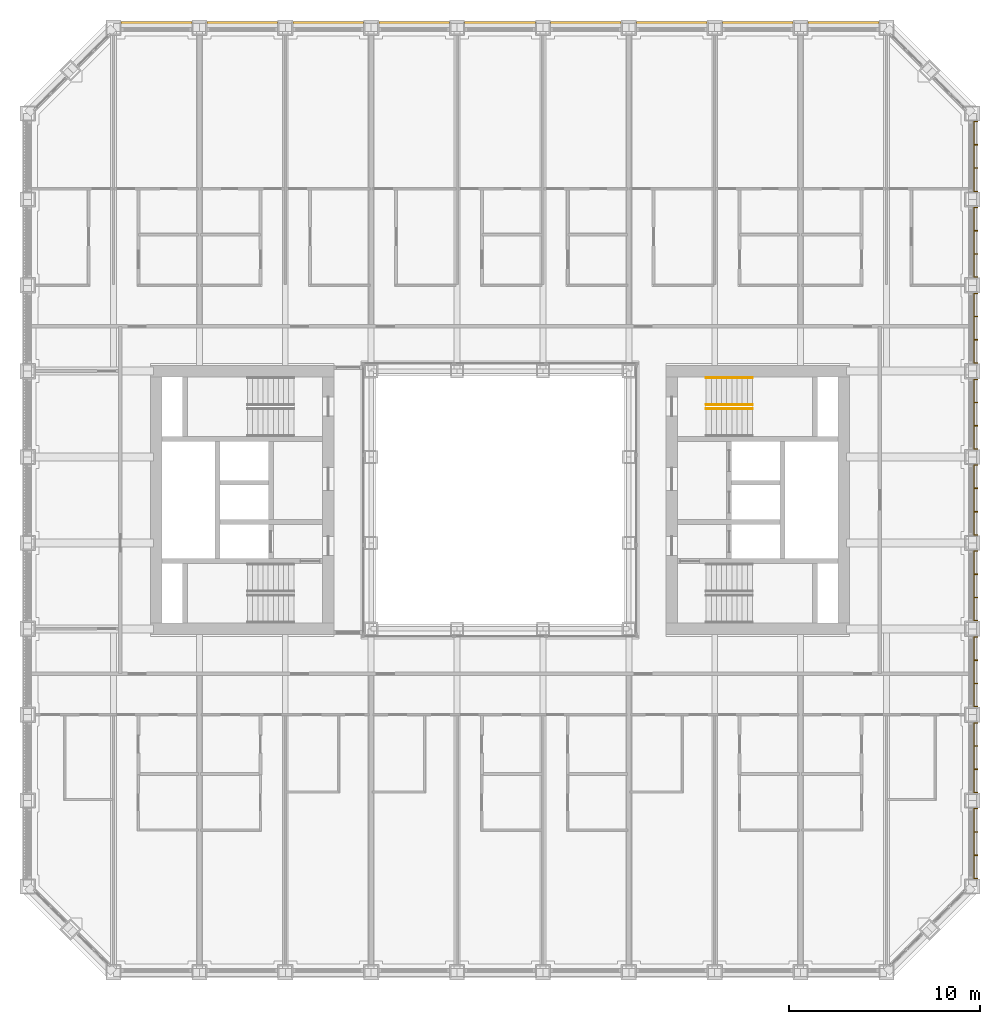
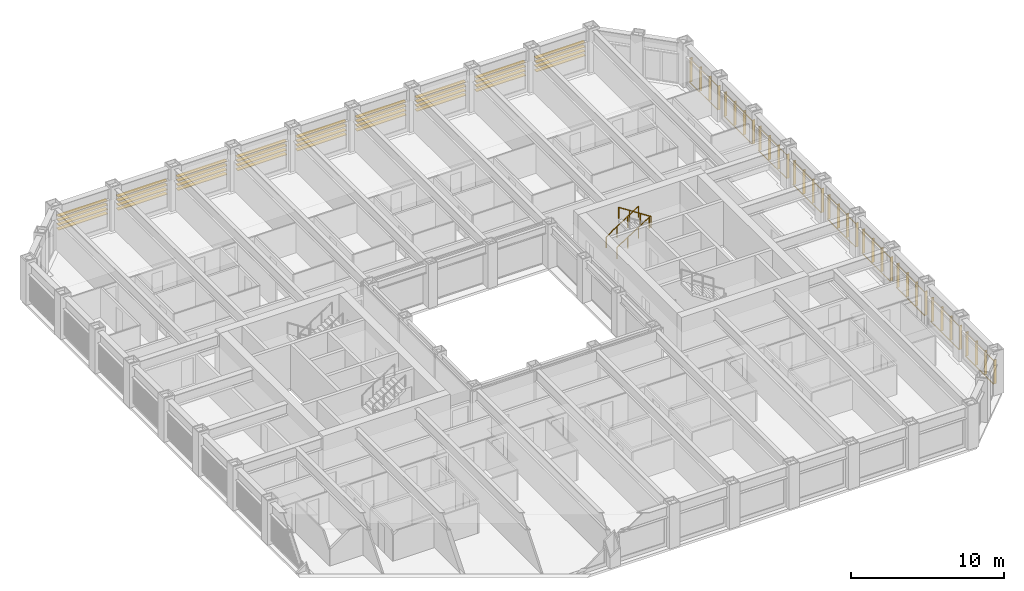
# One storey, part 21 of 21: 3 railings, 2 shading devices.
"""IFC4 building model written with IfcOpenShell, lengths in metres."""

from ifc_helpers import new_model, si_unit, direction, frame, origin, origin_2d, place, context, subcontext, project, spatial, rectangle, circle, extrude, material, type_object, element, save


model = new_model("IFC4")

# Units and contexts
model_context = context("Model", 3, precision=1e-05, world=origin(), true_north=direction((0.0, 1.0)))
body_context = subcontext(model_context, "Body", "Model", "MODEL_VIEW")
ifc_project = project(units=[si_unit("LENGTHUNIT", "METRE"), si_unit("AREAUNIT", "SQUARE_METRE"), si_unit("VOLUMEUNIT", "CUBIC_METRE"), si_unit("PLANEANGLEUNIT", "RADIAN"), si_unit("MASSUNIT", "GRAM", prefix="KILO")], contexts=[model_context])

# Site, building, storey
site_placement = place(None, origin())
site = spatial("IfcSite", under=ifc_project, at=site_placement, CompositionType="ELEMENT")
building_placement = place(site_placement, origin())
building = spatial("IfcBuilding", under=site, at=building_placement, Name="Msasa Ring Tower", CompositionType="ELEMENT")
storey_placement = place(building_placement, frame((0.0, 0.0, 54.5)))
storey = spatial("IfcBuildingStorey", under=building, at=storey_placement, Name="L13", CompositionType="ELEMENT", Elevation=54.5)

# Shading device
ifc_material_1 = material(Name="Extruded terracotta on aluminium carriers", Category="masonry")
shading_device_type_1 = type_object("IfcShadingDeviceType", Name="BS2 TERRACOTTA FIN SCREEN 40x200 AT 1350", PredefinedType="USERDEFINED", material=ifc_material_1)
shading_device_1_placement = place(storey_placement, origin())
element("IfcShadingDevice", 1, at=shading_device_1_placement, inside=storey, type_object=shading_device_type_1, Name="Terracotta fin screen E L13", ObjectType="BAGUETTE", PredefinedType="USERDEFINED", context=body_context, shape_type="SweptSolid", body=[
    extrude(rectangle(XDim=0.06005859375, YDim=0.0400390625, at=origin_2d()), frame((24.830078125, -19.85009765625, 0.330078125), z_axis=(0.0, 1.0, 0.0), x_axis=(0.0, 0.0, 1.0)), (0.0, 0.0, 1.0), 3.699951171875),
    extrude(rectangle(XDim=0.06005859375, YDim=0.0400390625, at=origin_2d()), frame((24.830078125, -19.85009765625, 2.198974609375), z_axis=(0.0, 1.0, 0.0), x_axis=(0.0, 0.0, 1.0)), (0.0, 0.0, 1.0), 3.699951171875),
    extrude(rectangle(XDim=0.0400390625, YDim=0.199951171875, at=origin_2d()), frame((24.945068359375, -19.830078125, 0.300048828125), z_axis=(0.0, 0.0, 1.0), x_axis=(0.0, 1.0, 0.0)), (0.0, 0.0, 1.0), 1.928955078125),
    extrude(rectangle(XDim=0.0400390625, YDim=0.199951171875, at=origin_2d()), frame((24.945068359375, -18.610107421875, 0.300048828125), z_axis=(0.0, 0.0, 1.0), x_axis=(0.0, 1.0, 0.0)), (0.0, 0.0, 1.0), 1.928955078125),
    extrude(rectangle(XDim=0.0400390625, YDim=0.199951171875, at=origin_2d()), frame((24.945068359375, -17.389892578125, 0.300048828125), z_axis=(0.0, 0.0, 1.0), x_axis=(0.0, 1.0, 0.0)), (0.0, 0.0, 1.0), 1.928955078125),
    extrude(rectangle(XDim=0.0400390625, YDim=0.199951171875, at=origin_2d()), frame((24.945068359375, -16.169921875, 0.300048828125), z_axis=(0.0, 0.0, 1.0), x_axis=(0.0, 1.0, 0.0)), (0.0, 0.0, 1.0), 1.928955078125),
    extrude(rectangle(XDim=0.06005859375, YDim=0.0400390625, at=origin_2d()), frame((24.830078125, -15.35009765625, 0.330078125), z_axis=(0.0, 1.0, 0.0), x_axis=(0.0, 0.0, 1.0)), (0.0, 0.0, 1.0), 3.699951171875),
    extrude(rectangle(XDim=0.06005859375, YDim=0.0400390625, at=origin_2d()), frame((24.830078125, -15.35009765625, 2.198974609375), z_axis=(0.0, 1.0, 0.0), x_axis=(0.0, 0.0, 1.0)), (0.0, 0.0, 1.0), 3.699951171875),
    extrude(rectangle(XDim=0.0400390625, YDim=0.199951171875, at=origin_2d()), frame((24.945068359375, -15.330078125, 0.300048828125), z_axis=(0.0, 0.0, 1.0), x_axis=(0.0, 1.0, 0.0)), (0.0, 0.0, 1.0), 1.928955078125),
    extrude(rectangle(XDim=0.0400390625, YDim=0.199951171875, at=origin_2d()), frame((24.945068359375, -14.110107421875, 0.300048828125), z_axis=(0.0, 0.0, 1.0), x_axis=(0.0, 1.0, 0.0)), (0.0, 0.0, 1.0), 1.928955078125),
    extrude(rectangle(XDim=0.0400390625, YDim=0.199951171875, at=origin_2d()), frame((24.945068359375, -12.889892578125, 0.300048828125), z_axis=(0.0, 0.0, 1.0), x_axis=(0.0, 1.0, 0.0)), (0.0, 0.0, 1.0), 1.928955078125),
    extrude(rectangle(XDim=0.0400390625, YDim=0.199951171875, at=origin_2d()), frame((24.945068359375, -11.669921875, 0.300048828125), z_axis=(0.0, 0.0, 1.0), x_axis=(0.0, 1.0, 0.0)), (0.0, 0.0, 1.0), 1.928955078125),
    extrude(rectangle(XDim=0.06005859375, YDim=0.0400390625, at=origin_2d()), frame((24.830078125, -10.85009765625, 0.330078125), z_axis=(0.0, 1.0, 0.0), x_axis=(0.0, 0.0, 1.0)), (0.0, 0.0, 1.0), 3.699951171875),
    extrude(rectangle(XDim=0.06005859375, YDim=0.0400390625, at=origin_2d()), frame((24.830078125, -10.85009765625, 2.198974609375), z_axis=(0.0, 1.0, 0.0), x_axis=(0.0, 0.0, 1.0)), (0.0, 0.0, 1.0), 3.699951171875),
    extrude(rectangle(XDim=0.0400390625, YDim=0.199951171875, at=origin_2d()), frame((24.945068359375, -10.830078125, 0.300048828125), z_axis=(0.0, 0.0, 1.0), x_axis=(0.0, 1.0, 0.0)), (0.0, 0.0, 1.0), 1.928955078125),
    extrude(rectangle(XDim=0.0400390625, YDim=0.199951171875, at=origin_2d()), frame((24.945068359375, -9.610107421875, 0.300048828125), z_axis=(0.0, 0.0, 1.0), x_axis=(0.0, 1.0, 0.0)), (0.0, 0.0, 1.0), 1.928955078125),
    extrude(rectangle(XDim=0.0400390625, YDim=0.199951171875, at=origin_2d()), frame((24.945068359375, -8.389892578125, 0.300048828125), z_axis=(0.0, 0.0, 1.0), x_axis=(0.0, 1.0, 0.0)), (0.0, 0.0, 1.0), 1.928955078125),
    extrude(rectangle(XDim=0.0400390625, YDim=0.199951171875, at=origin_2d()), frame((24.945068359375, -7.169921875, 0.300048828125), z_axis=(0.0, 0.0, 1.0), x_axis=(0.0, 1.0, 0.0)), (0.0, 0.0, 1.0), 1.928955078125),
    extrude(rectangle(XDim=0.06005859375, YDim=0.0400390625, at=origin_2d()), frame((24.830078125, -6.35009765625, 0.330078125), z_axis=(0.0, 1.0, 0.0), x_axis=(0.0, 0.0, 1.0)), (0.0, 0.0, 1.0), 3.699951171875),
    extrude(rectangle(XDim=0.06005859375, YDim=0.0400390625, at=origin_2d()), frame((24.830078125, -6.35009765625, 2.198974609375), z_axis=(0.0, 1.0, 0.0), x_axis=(0.0, 0.0, 1.0)), (0.0, 0.0, 1.0), 3.699951171875),
    extrude(rectangle(XDim=0.0400390625, YDim=0.199951171875, at=origin_2d()), frame((24.945068359375, -6.330078125, 0.300048828125), z_axis=(0.0, 0.0, 1.0), x_axis=(0.0, 1.0, 0.0)), (0.0, 0.0, 1.0), 1.928955078125),
    extrude(rectangle(XDim=0.0400390625, YDim=0.199951171875, at=origin_2d()), frame((24.945068359375, -5.110107421875, 0.300048828125), z_axis=(0.0, 0.0, 1.0), x_axis=(0.0, 1.0, 0.0)), (0.0, 0.0, 1.0), 1.928955078125),
    extrude(rectangle(XDim=0.0400390625, YDim=0.199951171875, at=origin_2d()), frame((24.945068359375, -3.889892578125, 0.300048828125), z_axis=(0.0, 0.0, 1.0), x_axis=(0.0, 1.0, 0.0)), (0.0, 0.0, 1.0), 1.928955078125),
    extrude(rectangle(XDim=0.0400390625, YDim=0.199951171875, at=origin_2d()), frame((24.945068359375, -2.669921875, 0.300048828125), z_axis=(0.0, 0.0, 1.0), x_axis=(0.0, 1.0, 0.0)), (0.0, 0.0, 1.0), 1.928955078125),
    extrude(rectangle(XDim=0.06005859375, YDim=0.0400390625, at=origin_2d()), frame((24.830078125, -1.85009765625, 0.330078125), z_axis=(0.0, 1.0, 0.0), x_axis=(0.0, 0.0, 1.0)), (0.0, 0.0, 1.0), 3.699951171875),
    extrude(rectangle(XDim=0.06005859375, YDim=0.0400390625, at=origin_2d()), frame((24.830078125, -1.85009765625, 2.198974609375), z_axis=(0.0, 1.0, 0.0), x_axis=(0.0, 0.0, 1.0)), (0.0, 0.0, 1.0), 3.699951171875),
    extrude(rectangle(XDim=0.0400390625, YDim=0.199951171875, at=origin_2d()), frame((24.945068359375, -1.830078125, 0.300048828125), z_axis=(0.0, 0.0, 1.0), x_axis=(0.0, 1.0, 0.0)), (0.0, 0.0, 1.0), 1.928955078125),
    extrude(rectangle(XDim=0.0400390625, YDim=0.199951171875, at=origin_2d()), frame((24.945068359375, -0.610107421875, 0.300048828125), z_axis=(0.0, 0.0, 1.0), x_axis=(0.0, 1.0, 0.0)), (0.0, 0.0, 1.0), 1.928955078125),
    extrude(rectangle(XDim=0.0400390625, YDim=0.199951171875, at=origin_2d()), frame((24.945068359375, 0.610107421875, 0.300048828125), z_axis=(0.0, 0.0, 1.0), x_axis=(0.0, 1.0, 0.0)), (0.0, 0.0, 1.0), 1.928955078125),
    extrude(rectangle(XDim=0.0400390625, YDim=0.199951171875, at=origin_2d()), frame((24.945068359375, 1.830078125, 0.300048828125), z_axis=(0.0, 0.0, 1.0), x_axis=(0.0, 1.0, 0.0)), (0.0, 0.0, 1.0), 1.928955078125),
    extrude(rectangle(XDim=0.06005859375, YDim=0.0400390625, at=origin_2d()), frame((24.830078125, 2.64990234375, 0.330078125), z_axis=(0.0, 1.0, 0.0), x_axis=(0.0, 0.0, 1.0)), (0.0, 0.0, 1.0), 3.699951171875),
    extrude(rectangle(XDim=0.06005859375, YDim=0.0400390625, at=origin_2d()), frame((24.830078125, 2.64990234375, 2.198974609375), z_axis=(0.0, 1.0, 0.0), x_axis=(0.0, 0.0, 1.0)), (0.0, 0.0, 1.0), 3.699951171875),
    extrude(rectangle(XDim=0.0400390625, YDim=0.199951171875, at=origin_2d()), frame((24.945068359375, 2.669921875, 0.300048828125), z_axis=(0.0, 0.0, 1.0), x_axis=(0.0, 1.0, 0.0)), (0.0, 0.0, 1.0), 1.928955078125),
    extrude(rectangle(XDim=0.0400390625, YDim=0.199951171875, at=origin_2d()), frame((24.945068359375, 3.889892578125, 0.300048828125), z_axis=(0.0, 0.0, 1.0), x_axis=(0.0, 1.0, 0.0)), (0.0, 0.0, 1.0), 1.928955078125),
    extrude(rectangle(XDim=0.0400390625, YDim=0.199951171875, at=origin_2d()), frame((24.945068359375, 5.110107421875, 0.300048828125), z_axis=(0.0, 0.0, 1.0), x_axis=(0.0, 1.0, 0.0)), (0.0, 0.0, 1.0), 1.928955078125),
    extrude(rectangle(XDim=0.0400390625, YDim=0.199951171875, at=origin_2d()), frame((24.945068359375, 6.330078125, 0.300048828125), z_axis=(0.0, 0.0, 1.0), x_axis=(0.0, 1.0, 0.0)), (0.0, 0.0, 1.0), 1.928955078125),
    extrude(rectangle(XDim=0.06005859375, YDim=0.0400390625, at=origin_2d()), frame((24.830078125, 7.14990234375, 0.330078125), z_axis=(0.0, 1.0, 0.0), x_axis=(0.0, 0.0, 1.0)), (0.0, 0.0, 1.0), 3.699951171875),
    extrude(rectangle(XDim=0.06005859375, YDim=0.0400390625, at=origin_2d()), frame((24.830078125, 7.14990234375, 2.198974609375), z_axis=(0.0, 1.0, 0.0), x_axis=(0.0, 0.0, 1.0)), (0.0, 0.0, 1.0), 3.699951171875),
    extrude(rectangle(XDim=0.0400390625, YDim=0.199951171875, at=origin_2d()), frame((24.945068359375, 7.169921875, 0.300048828125), z_axis=(0.0, 0.0, 1.0), x_axis=(0.0, 1.0, 0.0)), (0.0, 0.0, 1.0), 1.928955078125),
    extrude(rectangle(XDim=0.0400390625, YDim=0.199951171875, at=origin_2d()), frame((24.945068359375, 8.389892578125, 0.300048828125), z_axis=(0.0, 0.0, 1.0), x_axis=(0.0, 1.0, 0.0)), (0.0, 0.0, 1.0), 1.928955078125),
    extrude(rectangle(XDim=0.0400390625, YDim=0.199951171875, at=origin_2d()), frame((24.945068359375, 9.610107421875, 0.300048828125), z_axis=(0.0, 0.0, 1.0), x_axis=(0.0, 1.0, 0.0)), (0.0, 0.0, 1.0), 1.928955078125),
    extrude(rectangle(XDim=0.0400390625, YDim=0.199951171875, at=origin_2d()), frame((24.945068359375, 10.830078125, 0.300048828125), z_axis=(0.0, 0.0, 1.0), x_axis=(0.0, 1.0, 0.0)), (0.0, 0.0, 1.0), 1.928955078125),
    extrude(rectangle(XDim=0.06005859375, YDim=0.0400390625, at=origin_2d()), frame((24.830078125, 11.64990234375, 0.330078125), z_axis=(0.0, 1.0, 0.0), x_axis=(0.0, 0.0, 1.0)), (0.0, 0.0, 1.0), 3.699951171875),
    extrude(rectangle(XDim=0.06005859375, YDim=0.0400390625, at=origin_2d()), frame((24.830078125, 11.64990234375, 2.198974609375), z_axis=(0.0, 1.0, 0.0), x_axis=(0.0, 0.0, 1.0)), (0.0, 0.0, 1.0), 3.699951171875),
    extrude(rectangle(XDim=0.0400390625, YDim=0.199951171875, at=origin_2d()), frame((24.945068359375, 11.669921875, 0.300048828125), z_axis=(0.0, 0.0, 1.0), x_axis=(0.0, 1.0, 0.0)), (0.0, 0.0, 1.0), 1.928955078125),
    extrude(rectangle(XDim=0.0400390625, YDim=0.199951171875, at=origin_2d()), frame((24.945068359375, 12.889892578125, 0.300048828125), z_axis=(0.0, 0.0, 1.0), x_axis=(0.0, 1.0, 0.0)), (0.0, 0.0, 1.0), 1.928955078125),
    extrude(rectangle(XDim=0.0400390625, YDim=0.199951171875, at=origin_2d()), frame((24.945068359375, 14.110107421875, 0.300048828125), z_axis=(0.0, 0.0, 1.0), x_axis=(0.0, 1.0, 0.0)), (0.0, 0.0, 1.0), 1.928955078125),
    extrude(rectangle(XDim=0.0400390625, YDim=0.199951171875, at=origin_2d()), frame((24.945068359375, 15.330078125, 0.300048828125), z_axis=(0.0, 0.0, 1.0), x_axis=(0.0, 1.0, 0.0)), (0.0, 0.0, 1.0), 1.928955078125),
    extrude(rectangle(XDim=0.06005859375, YDim=0.0400390625, at=origin_2d()), frame((24.830078125, 16.14990234375, 0.330078125), z_axis=(0.0, 1.0, 0.0), x_axis=(0.0, 0.0, 1.0)), (0.0, 0.0, 1.0), 3.699951171875),
    extrude(rectangle(XDim=0.06005859375, YDim=0.0400390625, at=origin_2d()), frame((24.830078125, 16.14990234375, 2.198974609375), z_axis=(0.0, 1.0, 0.0), x_axis=(0.0, 0.0, 1.0)), (0.0, 0.0, 1.0), 3.699951171875),
    extrude(rectangle(XDim=0.0400390625, YDim=0.199951171875, at=origin_2d()), frame((24.945068359375, 16.169921875, 0.300048828125), z_axis=(0.0, 0.0, 1.0), x_axis=(0.0, 1.0, 0.0)), (0.0, 0.0, 1.0), 1.928955078125),
    extrude(rectangle(XDim=0.0400390625, YDim=0.199951171875, at=origin_2d()), frame((24.945068359375, 17.389892578125, 0.300048828125), z_axis=(0.0, 0.0, 1.0), x_axis=(0.0, 1.0, 0.0)), (0.0, 0.0, 1.0), 1.928955078125),
    extrude(rectangle(XDim=0.0400390625, YDim=0.199951171875, at=origin_2d()), frame((24.945068359375, 18.610107421875, 0.300048828125), z_axis=(0.0, 0.0, 1.0), x_axis=(0.0, 1.0, 0.0)), (0.0, 0.0, 1.0), 1.928955078125),
    extrude(rectangle(XDim=0.0400390625, YDim=0.199951171875, at=origin_2d()), frame((24.945068359375, 19.830078125, 0.300048828125), z_axis=(0.0, 0.0, 1.0), x_axis=(0.0, 1.0, 0.0)), (0.0, 0.0, 1.0), 1.928955078125),
])

# Railings
ifc_material_2 = material(Name="Stainless steel", Category="steel")
railing_type = type_object("IfcRailingType", Name="HR1 HANDRAIL 900", PredefinedType="HANDRAIL", material=ifc_material_2)
for number, where, name in (
    (2, (10.800048828125, 5.0, 0.175048828125), "Handrail stair SEB L13 1"),
    (3, (10.800048828125, 6.39990234375, 0.175048828125), "Handrail stair SEB L13 2"),
):
    element("IfcRailing", number, at=place(storey_placement, frame(where)), inside=storey, type_object=railing_type, Name=name, PredefinedType="HANDRAIL", context=body_context, shape_type="SweptSolid", body=[
        extrude(circle(Radius=0.02392578125, at=origin_2d()), frame((0.0, 0.0, 0.8759765625), z_axis=(0.839153699163, 0.0, 0.543894354798), x_axis=(0.0, 1.0, 0.0)), (0.0, 0.0, 1.0), 2.895751953125),
        extrude(circle(Radius=0.02099609375, at=origin_2d()), origin(), (0.0, 0.0, 1.0), 0.851806640625),
        extrude(circle(Radius=0.02099609375, at=origin_2d()), frame((0.81005859375, 0.0, 0.52490234375)), (0.0, 0.0, 1.0), 0.851806640625),
        extrude(circle(Radius=0.02099609375, at=origin_2d()), frame((1.619873046875, 0.0, 1.050048828125)), (0.0, 0.0, 1.0), 0.851806640625),
        extrude(circle(Radius=0.02099609375, at=origin_2d()), frame((2.429931640625, 0.0, 1.574951171875)), (0.0, 0.0, 1.0), 0.851806640625),
    ])
railing_placement = place(storey_placement, frame((13.22998046875, 4.77490234375, 1.925048828125)))
element("IfcRailing", 4, at=railing_placement, inside=storey, type_object=railing_type, Name="Handrail stair SEB L13 4", PredefinedType="HANDRAIL", context=body_context, shape_type="SweptSolid", body=[
    extrude(circle(Radius=0.02392578125, at=origin_2d()), frame((0.0, 0.0, 0.8759765625), z_axis=(-0.839153699163, 0.0, 0.543894354798), x_axis=(0.0, -1.0, 0.0)), (0.0, 0.0, 1.0), 2.895751953125),
    extrude(circle(Radius=0.02099609375, at=origin_2d()), origin(), (0.0, 0.0, 1.0), 0.851806640625),
    extrude(circle(Radius=0.02099609375, at=origin_2d()), frame((-0.81005859375, 0.0, 0.52490234375)), (0.0, 0.0, 1.0), 0.851806640625),
    extrude(circle(Radius=0.02099609375, at=origin_2d()), frame((-1.619873046875, 0.0, 1.050048828125)), (0.0, 0.0, 1.0), 0.851806640625),
    extrude(circle(Radius=0.02099609375, at=origin_2d()), frame((-2.429931640625, 0.0, 1.574951171875)), (0.0, 0.0, 1.0), 0.851806640625),
])

# Shading device
ifc_material_3 = material(Name="Extruded terracotta blades", Category="masonry")
shading_device_type_2 = type_object("IfcShadingDeviceType", Name="SS1 TERRACOTTA SUNSHADE 4 BLADES 300x40 AT 350", PredefinedType="USERDEFINED", material=ifc_material_3)
shading_device_2_placement = place(storey_placement, origin())
element("IfcShadingDevice", 5, at=shading_device_2_placement, inside=storey, type_object=shading_device_type_2, Name="Terracotta sunshade N L13", ObjectType="SUNSHADE", PredefinedType="USERDEFINED", context=body_context, shape_type="SweptSolid", body=[
    extrude(rectangle(XDim=0.0400390625, YDim=0.300048828125, at=origin_2d()), frame((-19.85009765625, 24.929931640625, 2.208984375), z_axis=(1.0, 0.0, 0.0), x_axis=(0.0, 0.0, 1.0)), (0.0, 0.0, 1.0), 3.699951171875),
    extrude(rectangle(XDim=0.0400390625, YDim=0.300048828125, at=origin_2d()), frame((-19.85009765625, 24.929931640625, 1.85888671875), z_axis=(1.0, 0.0, 0.0), x_axis=(0.0, 0.0, 1.0)), (0.0, 0.0, 1.0), 3.699951171875),
    extrude(rectangle(XDim=0.0400390625, YDim=0.300048828125, at=origin_2d()), frame((-19.85009765625, 24.929931640625, 1.509033203125), z_axis=(1.0, 0.0, 0.0), x_axis=(0.0, 0.0, 1.0)), (0.0, 0.0, 1.0), 3.699951171875),
    extrude(rectangle(XDim=0.0400390625, YDim=0.300048828125, at=origin_2d()), frame((-19.85009765625, 24.929931640625, 1.158935546875), z_axis=(1.0, 0.0, 0.0), x_axis=(0.0, 0.0, 1.0)), (0.0, 0.0, 1.0), 3.699951171875),
    extrude(rectangle(XDim=0.0400390625, YDim=0.300048828125, at=origin_2d()), frame((-15.35009765625, 24.929931640625, 2.208984375), z_axis=(1.0, 0.0, 0.0), x_axis=(0.0, 0.0, 1.0)), (0.0, 0.0, 1.0), 3.699951171875),
    extrude(rectangle(XDim=0.0400390625, YDim=0.300048828125, at=origin_2d()), frame((-15.35009765625, 24.929931640625, 1.85888671875), z_axis=(1.0, 0.0, 0.0), x_axis=(0.0, 0.0, 1.0)), (0.0, 0.0, 1.0), 3.699951171875),
    extrude(rectangle(XDim=0.0400390625, YDim=0.300048828125, at=origin_2d()), frame((-15.35009765625, 24.929931640625, 1.509033203125), z_axis=(1.0, 0.0, 0.0), x_axis=(0.0, 0.0, 1.0)), (0.0, 0.0, 1.0), 3.699951171875),
    extrude(rectangle(XDim=0.0400390625, YDim=0.300048828125, at=origin_2d()), frame((-15.35009765625, 24.929931640625, 1.158935546875), z_axis=(1.0, 0.0, 0.0), x_axis=(0.0, 0.0, 1.0)), (0.0, 0.0, 1.0), 3.699951171875),
    extrude(rectangle(XDim=0.0400390625, YDim=0.300048828125, at=origin_2d()), frame((-10.85009765625, 24.929931640625, 2.208984375), z_axis=(1.0, 0.0, 0.0), x_axis=(0.0, 0.0, 1.0)), (0.0, 0.0, 1.0), 3.699951171875),
    extrude(rectangle(XDim=0.0400390625, YDim=0.300048828125, at=origin_2d()), frame((-10.85009765625, 24.929931640625, 1.85888671875), z_axis=(1.0, 0.0, 0.0), x_axis=(0.0, 0.0, 1.0)), (0.0, 0.0, 1.0), 3.699951171875),
    extrude(rectangle(XDim=0.0400390625, YDim=0.300048828125, at=origin_2d()), frame((-10.85009765625, 24.929931640625, 1.509033203125), z_axis=(1.0, 0.0, 0.0), x_axis=(0.0, 0.0, 1.0)), (0.0, 0.0, 1.0), 3.699951171875),
    extrude(rectangle(XDim=0.0400390625, YDim=0.300048828125, at=origin_2d()), frame((-10.85009765625, 24.929931640625, 1.158935546875), z_axis=(1.0, 0.0, 0.0), x_axis=(0.0, 0.0, 1.0)), (0.0, 0.0, 1.0), 3.699951171875),
    extrude(rectangle(XDim=0.0400390625, YDim=0.300048828125, at=origin_2d()), frame((-6.35009765625, 24.929931640625, 2.208984375), z_axis=(1.0, 0.0, 0.0), x_axis=(0.0, 0.0, 1.0)), (0.0, 0.0, 1.0), 3.699951171875),
    extrude(rectangle(XDim=0.0400390625, YDim=0.300048828125, at=origin_2d()), frame((-6.35009765625, 24.929931640625, 1.85888671875), z_axis=(1.0, 0.0, 0.0), x_axis=(0.0, 0.0, 1.0)), (0.0, 0.0, 1.0), 3.699951171875),
    extrude(rectangle(XDim=0.0400390625, YDim=0.300048828125, at=origin_2d()), frame((-6.35009765625, 24.929931640625, 1.509033203125), z_axis=(1.0, 0.0, 0.0), x_axis=(0.0, 0.0, 1.0)), (0.0, 0.0, 1.0), 3.699951171875),
    extrude(rectangle(XDim=0.0400390625, YDim=0.300048828125, at=origin_2d()), frame((-6.35009765625, 24.929931640625, 1.158935546875), z_axis=(1.0, 0.0, 0.0), x_axis=(0.0, 0.0, 1.0)), (0.0, 0.0, 1.0), 3.699951171875),
    extrude(rectangle(XDim=0.0400390625, YDim=0.300048828125, at=origin_2d()), frame((-1.85009765625, 24.929931640625, 2.208984375), z_axis=(1.0, 0.0, 0.0), x_axis=(0.0, 0.0, 1.0)), (0.0, 0.0, 1.0), 3.699951171875),
    extrude(rectangle(XDim=0.0400390625, YDim=0.300048828125, at=origin_2d()), frame((-1.85009765625, 24.929931640625, 1.85888671875), z_axis=(1.0, 0.0, 0.0), x_axis=(0.0, 0.0, 1.0)), (0.0, 0.0, 1.0), 3.699951171875),
    extrude(rectangle(XDim=0.0400390625, YDim=0.300048828125, at=origin_2d()), frame((-1.85009765625, 24.929931640625, 1.509033203125), z_axis=(1.0, 0.0, 0.0), x_axis=(0.0, 0.0, 1.0)), (0.0, 0.0, 1.0), 3.699951171875),
    extrude(rectangle(XDim=0.0400390625, YDim=0.300048828125, at=origin_2d()), frame((-1.85009765625, 24.929931640625, 1.158935546875), z_axis=(1.0, 0.0, 0.0), x_axis=(0.0, 0.0, 1.0)), (0.0, 0.0, 1.0), 3.699951171875),
    extrude(rectangle(XDim=0.0400390625, YDim=0.300048828125, at=origin_2d()), frame((2.64990234375, 24.929931640625, 2.208984375), z_axis=(1.0, 0.0, 0.0), x_axis=(0.0, 0.0, 1.0)), (0.0, 0.0, 1.0), 3.699951171875),
    extrude(rectangle(XDim=0.0400390625, YDim=0.300048828125, at=origin_2d()), frame((2.64990234375, 24.929931640625, 1.85888671875), z_axis=(1.0, 0.0, 0.0), x_axis=(0.0, 0.0, 1.0)), (0.0, 0.0, 1.0), 3.699951171875),
    extrude(rectangle(XDim=0.0400390625, YDim=0.300048828125, at=origin_2d()), frame((2.64990234375, 24.929931640625, 1.509033203125), z_axis=(1.0, 0.0, 0.0), x_axis=(0.0, 0.0, 1.0)), (0.0, 0.0, 1.0), 3.699951171875),
    extrude(rectangle(XDim=0.0400390625, YDim=0.300048828125, at=origin_2d()), frame((2.64990234375, 24.929931640625, 1.158935546875), z_axis=(1.0, 0.0, 0.0), x_axis=(0.0, 0.0, 1.0)), (0.0, 0.0, 1.0), 3.699951171875),
    extrude(rectangle(XDim=0.0400390625, YDim=0.300048828125, at=origin_2d()), frame((7.14990234375, 24.929931640625, 2.208984375), z_axis=(1.0, 0.0, 0.0), x_axis=(0.0, 0.0, 1.0)), (0.0, 0.0, 1.0), 3.699951171875),
    extrude(rectangle(XDim=0.0400390625, YDim=0.300048828125, at=origin_2d()), frame((7.14990234375, 24.929931640625, 1.85888671875), z_axis=(1.0, 0.0, 0.0), x_axis=(0.0, 0.0, 1.0)), (0.0, 0.0, 1.0), 3.699951171875),
    extrude(rectangle(XDim=0.0400390625, YDim=0.300048828125, at=origin_2d()), frame((7.14990234375, 24.929931640625, 1.509033203125), z_axis=(1.0, 0.0, 0.0), x_axis=(0.0, 0.0, 1.0)), (0.0, 0.0, 1.0), 3.699951171875),
    extrude(rectangle(XDim=0.0400390625, YDim=0.300048828125, at=origin_2d()), frame((7.14990234375, 24.929931640625, 1.158935546875), z_axis=(1.0, 0.0, 0.0), x_axis=(0.0, 0.0, 1.0)), (0.0, 0.0, 1.0), 3.699951171875),
    extrude(rectangle(XDim=0.0400390625, YDim=0.300048828125, at=origin_2d()), frame((11.64990234375, 24.929931640625, 2.208984375), z_axis=(1.0, 0.0, 0.0), x_axis=(0.0, 0.0, 1.0)), (0.0, 0.0, 1.0), 3.699951171875),
    extrude(rectangle(XDim=0.0400390625, YDim=0.300048828125, at=origin_2d()), frame((11.64990234375, 24.929931640625, 1.85888671875), z_axis=(1.0, 0.0, 0.0), x_axis=(0.0, 0.0, 1.0)), (0.0, 0.0, 1.0), 3.699951171875),
    extrude(rectangle(XDim=0.0400390625, YDim=0.300048828125, at=origin_2d()), frame((11.64990234375, 24.929931640625, 1.509033203125), z_axis=(1.0, 0.0, 0.0), x_axis=(0.0, 0.0, 1.0)), (0.0, 0.0, 1.0), 3.699951171875),
    extrude(rectangle(XDim=0.0400390625, YDim=0.300048828125, at=origin_2d()), frame((11.64990234375, 24.929931640625, 1.158935546875), z_axis=(1.0, 0.0, 0.0), x_axis=(0.0, 0.0, 1.0)), (0.0, 0.0, 1.0), 3.699951171875),
    extrude(rectangle(XDim=0.0400390625, YDim=0.300048828125, at=origin_2d()), frame((16.14990234375, 24.929931640625, 2.208984375), z_axis=(1.0, 0.0, 0.0), x_axis=(0.0, 0.0, 1.0)), (0.0, 0.0, 1.0), 3.699951171875),
    extrude(rectangle(XDim=0.0400390625, YDim=0.300048828125, at=origin_2d()), frame((16.14990234375, 24.929931640625, 1.85888671875), z_axis=(1.0, 0.0, 0.0), x_axis=(0.0, 0.0, 1.0)), (0.0, 0.0, 1.0), 3.699951171875),
    extrude(rectangle(XDim=0.0400390625, YDim=0.300048828125, at=origin_2d()), frame((16.14990234375, 24.929931640625, 1.509033203125), z_axis=(1.0, 0.0, 0.0), x_axis=(0.0, 0.0, 1.0)), (0.0, 0.0, 1.0), 3.699951171875),
    extrude(rectangle(XDim=0.0400390625, YDim=0.300048828125, at=origin_2d()), frame((16.14990234375, 24.929931640625, 1.158935546875), z_axis=(1.0, 0.0, 0.0), x_axis=(0.0, 0.0, 1.0)), (0.0, 0.0, 1.0), 3.699951171875),
])

save(model, "model.ifc")
